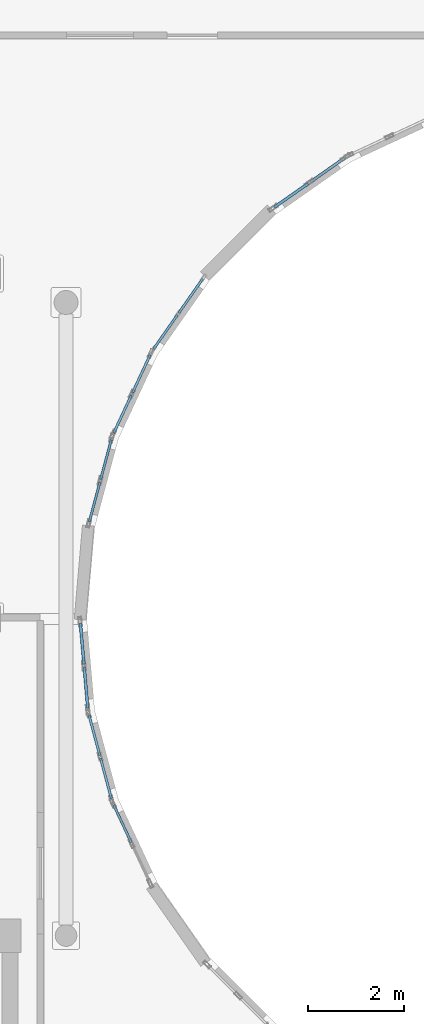
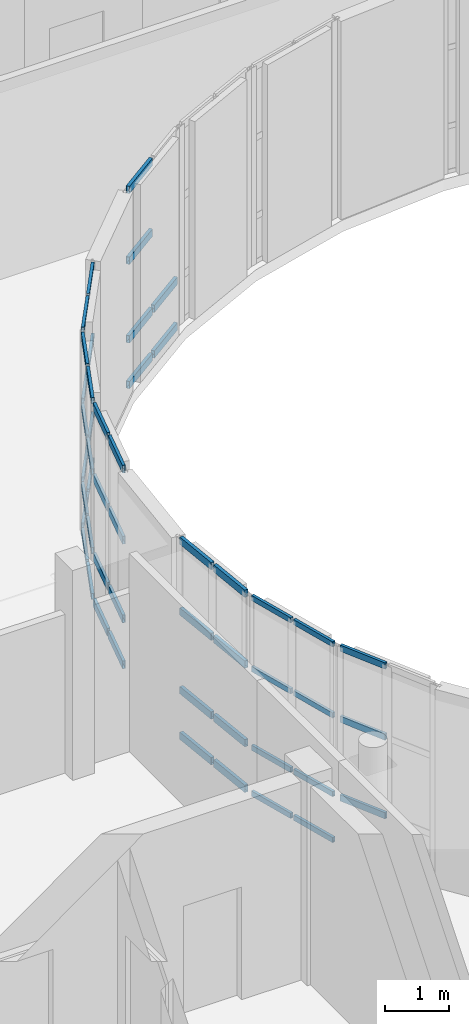
# One storey, part 46 of 92: 49 members, 7 elements without a shape of their own.
"""IFC4 building model written with IfcOpenShell, lengths in metres."""

from ifc_helpers import new_model, si_unit, direction, frame, origin, origin_2d, place, context, subcontext, project, spatial, hollow_rectangle, extrude, material, layer, layer_set, material_profile, profile_set, type_object, element, aggregate, save


model = new_model("IFC4")

# Units and contexts
model_context = context("Model", 3, precision=1e-05, world=origin(), true_north=direction((0.0, 1.0)))
body_context = subcontext(model_context, "Body", "Model", "MODEL_VIEW")
ifc_project = project(units=[si_unit("LENGTHUNIT", "METRE"), si_unit("AREAUNIT", "SQUARE_METRE"), si_unit("VOLUMEUNIT", "CUBIC_METRE"), si_unit("PLANEANGLEUNIT", "RADIAN"), si_unit("MASSUNIT", "GRAM", prefix="KILO")], contexts=[model_context])

# Site, building, storey
site_placement = place(None, origin())
site = spatial("IfcSite", under=ifc_project, at=site_placement, CompositionType="ELEMENT")
building_placement = place(site_placement, origin())
building = spatial("IfcBuilding", under=site, at=building_placement, Name="Kelanivale Promenade Academy", CompositionType="ELEMENT")
storey_placement = place(building_placement, frame((0.0, 0.0, 8.199951171875)))
storey = spatial("IfcBuildingStorey", under=building, at=storey_placement, Name="L02", CompositionType="ELEMENT", Elevation=8.199951171875)

# Curtain wall, members
ifc_material_1 = material(Name="Bronze anodised aluminium and solar-control low-E glass", Category="aluminium")
ifc_layer_1 = layer(ifc_material_1, 0.179931640625)
ifc_layer_set_1 = layer_set([ifc_layer_1], Name="Bronze anodised aluminium and solar-control low-E glass")
curtain_wall_type_1 = type_object("IfcCurtainWallType", Name="CW-17 Curtain Wall 1950mm Module", PredefinedType="USERDEFINED", material=ifc_layer_set_1)
curtain_wall_1_placement = place(storey_placement, origin())
curtain_wall_1 = element("IfcCurtainWall", 1, at=curtain_wall_1_placement, inside=storey, type_object=curtain_wall_type_1, Name="L02 courtyard curtain wall CW-17", ObjectType="COURTYARD SCREEN GLAZING", PredefinedType="USERDEFINED")
ifc_material_2 = material(Name="Bronze anodised aluminium EN AW-6063 T6", Category="aluminium")
ifc_material_profile_1 = material_profile(ifc_material_2, hollow_rectangle(XDim=0.050048828125, YDim=0.10009765625, WallThickness=0.0029296875, at=origin_2d()), Name="ALU 50x100x3.0")
ifc_profile_set_1 = profile_set([ifc_material_profile_1], Name="Bronze anodised aluminium EN AW-6063 T6")
member_type_1 = type_object("IfcMemberType", Name="CWT-01 ALU 50x100x3.0", PredefinedType="USERDEFINED", material=ifc_profile_set_1)
member_1_placement = place(storey_placement, frame((54.815673828125, 63.889892578125, 0.025146484375), z_axis=(-0.573329193297, -0.819325110144, 0.0), x_axis=(0.819325110144, -0.573329193297, 0.0)))
member_1 = element("IfcMember", 2, at=member_1_placement, type_object=member_type_1, Name="CW-17 transom 1.1", ObjectType="TRANSOM", PredefinedType="USERDEFINED", context=body_context, shape_type="SweptSolid", body=[
    extrude(hollow_rectangle(XDim=0.050048828125, YDim=0.10009765625, WallThickness=0.0029296875, at=origin_2d()), origin(), (0.0, 0.0, 1.0), 0.861572265625),
])
member_2_placement = place(storey_placement, frame((54.815673828125, 63.889892578125, 0.900146484375), z_axis=(-0.573329193297, -0.819325110144, 0.0), x_axis=(0.819325110144, -0.573329193297, 0.0)))
member_2 = element("IfcMember", 3, at=member_2_placement, type_object=member_type_1, Name="CW-17 transom 1.2", ObjectType="TRANSOM", PredefinedType="USERDEFINED", context=body_context, shape_type="SweptSolid", body=[
    extrude(hollow_rectangle(XDim=0.050048828125, YDim=0.10009765625, WallThickness=0.0029296875, at=origin_2d()), origin(), (0.0, 0.0, 1.0), 0.861572265625),
])
member_3_placement = place(storey_placement, frame((54.815673828125, 63.889892578125, 2.400146484375), z_axis=(-0.573329193297, -0.819325110144, 0.0), x_axis=(0.819325110144, -0.573329193297, 0.0)))
member_3 = element("IfcMember", 4, at=member_3_placement, type_object=member_type_1, Name="CW-17 transom 1.3", ObjectType="TRANSOM", PredefinedType="USERDEFINED", context=body_context, shape_type="SweptSolid", body=[
    extrude(hollow_rectangle(XDim=0.050048828125, YDim=0.10009765625, WallThickness=0.0029296875, at=origin_2d()), origin(), (0.0, 0.0, 1.0), 0.861572265625),
])
member_4_placement = place(storey_placement, frame((54.815673828125, 63.889892578125, 3.755126953125), z_axis=(-0.573329193297, -0.819325110144, 0.0), x_axis=(0.819325110144, -0.573329193297, 0.0)))
member_4 = element("IfcMember", 5, at=member_4_placement, type_object=member_type_1, Name="CW-17 transom 1.4", ObjectType="TRANSOM", PredefinedType="USERDEFINED", context=body_context, shape_type="SweptSolid", body=[
    extrude(hollow_rectangle(XDim=0.050048828125, YDim=0.10009765625, WallThickness=0.0029296875, at=origin_2d()), origin(), (0.0, 0.0, 1.0), 0.861572265625),
])
member_5_placement = place(storey_placement, frame((54.287353515625, 63.135009765625, 0.025146484375), z_axis=(-0.573329193297, -0.819325110144, 0.0), x_axis=(0.819325110144, -0.573329193297, 0.0)))
member_5 = element("IfcMember", 6, at=member_5_placement, type_object=member_type_1, Name="CW-17 transom 2.1", ObjectType="TRANSOM", PredefinedType="USERDEFINED", context=body_context, shape_type="SweptSolid", body=[
    extrude(hollow_rectangle(XDim=0.050048828125, YDim=0.10009765625, WallThickness=0.0029296875, at=origin_2d()), origin(), (0.0, 0.0, 1.0), 0.861572265625),
])
member_6_placement = place(storey_placement, frame((54.287353515625, 63.135009765625, 0.900146484375), z_axis=(-0.573329193297, -0.819325110144, 0.0), x_axis=(0.819325110144, -0.573329193297, 0.0)))
member_6 = element("IfcMember", 7, at=member_6_placement, type_object=member_type_1, Name="CW-17 transom 2.2", ObjectType="TRANSOM", PredefinedType="USERDEFINED", context=body_context, shape_type="SweptSolid", body=[
    extrude(hollow_rectangle(XDim=0.050048828125, YDim=0.10009765625, WallThickness=0.0029296875, at=origin_2d()), origin(), (0.0, 0.0, 1.0), 0.861572265625),
])
member_7_placement = place(storey_placement, frame((54.287353515625, 63.135009765625, 2.400146484375), z_axis=(-0.573329193297, -0.819325110144, 0.0), x_axis=(0.819325110144, -0.573329193297, 0.0)))
member_7 = element("IfcMember", 8, at=member_7_placement, type_object=member_type_1, Name="CW-17 transom 2.3", ObjectType="TRANSOM", PredefinedType="USERDEFINED", context=body_context, shape_type="SweptSolid", body=[
    extrude(hollow_rectangle(XDim=0.050048828125, YDim=0.10009765625, WallThickness=0.0029296875, at=origin_2d()), origin(), (0.0, 0.0, 1.0), 0.861572265625),
])
member_8_placement = place(storey_placement, frame((54.287353515625, 63.135009765625, 3.755126953125), z_axis=(-0.573329193297, -0.819325110144, 0.0), x_axis=(0.819325110144, -0.573329193297, 0.0)))
member_8 = element("IfcMember", 9, at=member_8_placement, type_object=member_type_1, Name="CW-17 transom 2.4", ObjectType="TRANSOM", PredefinedType="USERDEFINED", context=body_context, shape_type="SweptSolid", body=[
    extrude(hollow_rectangle(XDim=0.050048828125, YDim=0.10009765625, WallThickness=0.0029296875, at=origin_2d()), origin(), (0.0, 0.0, 1.0), 0.861572265625),
])
aggregate(curtain_wall_1, [member_1, member_2, member_3, member_4, member_5, member_6, member_7, member_8])

ifc_layer_2 = layer(ifc_material_1, 0.159912109375)
ifc_layer_set_2 = layer_set([ifc_layer_2], Name="Bronze anodised aluminium and solar-control low-E glass")
curtain_wall_type_2 = type_object("IfcCurtainWallType", Name="CW-21 Curtain Wall 1650mm Module", PredefinedType="USERDEFINED", material=ifc_layer_set_2)
curtain_wall_2_placement = place(storey_placement, origin())
curtain_wall_2 = element("IfcCurtainWall", 10, at=curtain_wall_2_placement, inside=storey, type_object=curtain_wall_type_2, Name="L02 courtyard curtain wall CW-21", ObjectType="COURTYARD SCREEN GLAZING", PredefinedType="USERDEFINED")
member_9_placement = place(storey_placement, frame((52.447509765625, 54.796142578125, 0.025146484375), z_axis=(0.258572180527, -0.965991939644, 0.0), x_axis=(0.965991939644, 0.258572180527, 0.0)))
member_9 = element("IfcMember", 11, at=member_9_placement, type_object=member_type_1, Name="CW-21 transom 1.1", ObjectType="TRANSOM", PredefinedType="USERDEFINED", context=body_context, shape_type="SweptSolid", body=[
    extrude(hollow_rectangle(XDim=0.050048828125, YDim=0.10009765625, WallThickness=0.0029296875, at=origin_2d()), origin(), (0.0, 0.0, 1.0), 0.86865234375),
])
member_10_placement = place(storey_placement, frame((52.447509765625, 54.796142578125, 0.900146484375), z_axis=(0.258572180527, -0.965991939644, 0.0), x_axis=(0.965991939644, 0.258572180527, 0.0)))
member_10 = element("IfcMember", 12, at=member_10_placement, type_object=member_type_1, Name="CW-21 transom 1.2", ObjectType="TRANSOM", PredefinedType="USERDEFINED", context=body_context, shape_type="SweptSolid", body=[
    extrude(hollow_rectangle(XDim=0.050048828125, YDim=0.10009765625, WallThickness=0.0029296875, at=origin_2d()), origin(), (0.0, 0.0, 1.0), 0.86865234375),
])
member_11_placement = place(storey_placement, frame((52.447509765625, 54.796142578125, 2.400146484375), z_axis=(0.258572180527, -0.965991939644, 0.0), x_axis=(0.965991939644, 0.258572180527, 0.0)))
member_11 = element("IfcMember", 13, at=member_11_placement, type_object=member_type_1, Name="CW-21 transom 1.3", ObjectType="TRANSOM", PredefinedType="USERDEFINED", context=body_context, shape_type="SweptSolid", body=[
    extrude(hollow_rectangle(XDim=0.050048828125, YDim=0.10009765625, WallThickness=0.0029296875, at=origin_2d()), origin(), (0.0, 0.0, 1.0), 0.86865234375),
])
member_12_placement = place(storey_placement, frame((52.447509765625, 54.796142578125, 3.755126953125), z_axis=(0.258572180527, -0.965991939644, 0.0), x_axis=(0.965991939644, 0.258572180527, 0.0)))
member_12 = element("IfcMember", 14, at=member_12_placement, type_object=member_type_1, Name="CW-21 transom 1.4", ObjectType="TRANSOM", PredefinedType="USERDEFINED", context=body_context, shape_type="SweptSolid", body=[
    extrude(hollow_rectangle(XDim=0.050048828125, YDim=0.10009765625, WallThickness=0.0029296875, at=origin_2d()), origin(), (0.0, 0.0, 1.0), 0.86865234375),
])
member_13_placement = place(storey_placement, frame((52.687744140625, 53.89892578125, 0.025146484375), z_axis=(0.258904698654, -0.965902871419, 0.0), x_axis=(0.965902871419, 0.258904698654, 0.0)))
member_13 = element("IfcMember", 15, at=member_13_placement, type_object=member_type_1, Name="CW-21 transom 2.1", ObjectType="TRANSOM", PredefinedType="USERDEFINED", context=body_context, shape_type="SweptSolid", body=[
    extrude(hollow_rectangle(XDim=0.050048828125, YDim=0.10009765625, WallThickness=0.0029296875, at=origin_2d()), origin(), (0.0, 0.0, 1.0), 0.868408203125),
])
member_14_placement = place(storey_placement, frame((52.687744140625, 53.89892578125, 0.900146484375), z_axis=(0.258904698654, -0.965902871419, 0.0), x_axis=(0.965902871419, 0.258904698654, 0.0)))
member_14 = element("IfcMember", 16, at=member_14_placement, type_object=member_type_1, Name="CW-21 transom 2.2", ObjectType="TRANSOM", PredefinedType="USERDEFINED", context=body_context, shape_type="SweptSolid", body=[
    extrude(hollow_rectangle(XDim=0.050048828125, YDim=0.10009765625, WallThickness=0.0029296875, at=origin_2d()), origin(), (0.0, 0.0, 1.0), 0.868408203125),
])
member_15_placement = place(storey_placement, frame((52.687744140625, 53.89892578125, 2.400146484375), z_axis=(0.258904698654, -0.965902871419, 0.0), x_axis=(0.965902871419, 0.258904698654, 0.0)))
member_15 = element("IfcMember", 17, at=member_15_placement, type_object=member_type_1, Name="CW-21 transom 2.3", ObjectType="TRANSOM", PredefinedType="USERDEFINED", context=body_context, shape_type="SweptSolid", body=[
    extrude(hollow_rectangle(XDim=0.050048828125, YDim=0.10009765625, WallThickness=0.0029296875, at=origin_2d()), origin(), (0.0, 0.0, 1.0), 0.868408203125),
])
member_16_placement = place(storey_placement, frame((52.687744140625, 53.89892578125, 3.755126953125), z_axis=(0.258904698654, -0.965902871419, 0.0), x_axis=(0.965902871419, 0.258904698654, 0.0)))
member_16 = element("IfcMember", 18, at=member_16_placement, type_object=member_type_1, Name="CW-21 transom 2.4", ObjectType="TRANSOM", PredefinedType="USERDEFINED", context=body_context, shape_type="SweptSolid", body=[
    extrude(hollow_rectangle(XDim=0.050048828125, YDim=0.10009765625, WallThickness=0.0029296875, at=origin_2d()), origin(), (0.0, 0.0, 1.0), 0.868408203125),
])
aggregate(curtain_wall_2, [member_9, member_10, member_11, member_12, member_13, member_14, member_15, member_16])

ifc_layer_3 = layer(ifc_material_1, 0.159912109375)
ifc_layer_set_3 = layer_set([ifc_layer_3], Name="Bronze anodised aluminium and solar-control low-E glass")
curtain_wall_type_3 = type_object("IfcCurtainWallType", Name="CW-18 Curtain Wall 1200mm Module", PredefinedType="USERDEFINED", material=ifc_layer_set_3)
curtain_wall_3_placement = place(storey_placement, origin())
curtain_wall_3 = element("IfcCurtainWall", 19, at=curtain_wall_3_placement, inside=storey, type_object=curtain_wall_type_3, Name="L02 courtyard curtain wall CW-18", ObjectType="COURTYARD SCREEN GLAZING", PredefinedType="USERDEFINED")
ifc_material_profile_2 = material_profile(ifc_material_2, hollow_rectangle(XDim=0.050048828125, YDim=0.1201171875, WallThickness=0.0029296875, at=origin_2d()), Name="ALU 50x120x3.0")
ifc_profile_set_2 = profile_set([ifc_material_profile_2], Name="Bronze anodised aluminium EN AW-6063 T6")
member_type_2 = type_object("IfcMemberType", Name="CWT-02 ALU 50x120x3.0", PredefinedType="USERDEFINED", material=ifc_profile_set_2)
member_17_placement = place(storey_placement, frame((53.7216796875, 62.3046875, 0.025146484375), z_axis=(-0.422777812251, -0.906233370313, 0.0), x_axis=(0.906233370313, -0.422777812251, 0.0)))
member_17 = element("IfcMember", 20, at=member_17_placement, type_object=member_type_2, Name="CW-18 transom 1.1", ObjectType="TRANSOM", PredefinedType="USERDEFINED", context=body_context, shape_type="SweptSolid", body=[
    extrude(hollow_rectangle(XDim=0.050048828125, YDim=0.1201171875, WallThickness=0.0029296875, at=origin_2d()), origin(), (0.0, 0.0, 1.0), 0.869140625),
])
member_18_placement = place(storey_placement, frame((53.7216796875, 62.3046875, 0.900146484375), z_axis=(-0.422777812251, -0.906233370313, 0.0), x_axis=(0.906233370313, -0.422777812251, 0.0)))
member_18 = element("IfcMember", 21, at=member_18_placement, type_object=member_type_2, Name="CW-18 transom 1.2", ObjectType="TRANSOM", PredefinedType="USERDEFINED", context=body_context, shape_type="SweptSolid", body=[
    extrude(hollow_rectangle(XDim=0.050048828125, YDim=0.1201171875, WallThickness=0.0029296875, at=origin_2d()), origin(), (0.0, 0.0, 1.0), 0.869140625),
])
member_19_placement = place(storey_placement, frame((53.7216796875, 62.3046875, 2.400146484375), z_axis=(-0.422777812251, -0.906233370313, 0.0), x_axis=(0.906233370313, -0.422777812251, 0.0)))
member_19 = element("IfcMember", 22, at=member_19_placement, type_object=member_type_2, Name="CW-18 transom 1.3", ObjectType="TRANSOM", PredefinedType="USERDEFINED", context=body_context, shape_type="SweptSolid", body=[
    extrude(hollow_rectangle(XDim=0.050048828125, YDim=0.1201171875, WallThickness=0.0029296875, at=origin_2d()), origin(), (0.0, 0.0, 1.0), 0.869140625),
])
member_20_placement = place(storey_placement, frame((53.7216796875, 62.3046875, 3.755126953125), z_axis=(-0.422777812251, -0.906233370313, 0.0), x_axis=(0.906233370313, -0.422777812251, 0.0)))
member_20 = element("IfcMember", 23, at=member_20_placement, type_object=member_type_2, Name="CW-18 transom 1.4", ObjectType="TRANSOM", PredefinedType="USERDEFINED", context=body_context, shape_type="SweptSolid", body=[
    extrude(hollow_rectangle(XDim=0.050048828125, YDim=0.1201171875, WallThickness=0.0029296875, at=origin_2d()), origin(), (0.0, 0.0, 1.0), 0.869140625),
])
member_21_placement = place(storey_placement, frame((53.328857421875, 61.462890625, 0.025146484375), z_axis=(-0.422777812251, -0.906233370313, 0.0), x_axis=(0.906233370313, -0.422777812251, 0.0)))
member_21 = element("IfcMember", 24, at=member_21_placement, type_object=member_type_2, Name="CW-18 transom 2.1", ObjectType="TRANSOM", PredefinedType="USERDEFINED", context=body_context, shape_type="SweptSolid", body=[
    extrude(hollow_rectangle(XDim=0.050048828125, YDim=0.1201171875, WallThickness=0.0029296875, at=origin_2d()), origin(), (0.0, 0.0, 1.0), 0.869140625),
])
member_22_placement = place(storey_placement, frame((53.328857421875, 61.462890625, 0.900146484375), z_axis=(-0.422777812251, -0.906233370313, 0.0), x_axis=(0.906233370313, -0.422777812251, 0.0)))
member_22 = element("IfcMember", 25, at=member_22_placement, type_object=member_type_2, Name="CW-18 transom 2.2", ObjectType="TRANSOM", PredefinedType="USERDEFINED", context=body_context, shape_type="SweptSolid", body=[
    extrude(hollow_rectangle(XDim=0.050048828125, YDim=0.1201171875, WallThickness=0.0029296875, at=origin_2d()), origin(), (0.0, 0.0, 1.0), 0.869140625),
])
member_23_placement = place(storey_placement, frame((53.328857421875, 61.462890625, 2.400146484375), z_axis=(-0.422777812251, -0.906233370313, 0.0), x_axis=(0.906233370313, -0.422777812251, 0.0)))
member_23 = element("IfcMember", 26, at=member_23_placement, type_object=member_type_2, Name="CW-18 transom 2.3", ObjectType="TRANSOM", PredefinedType="USERDEFINED", context=body_context, shape_type="SweptSolid", body=[
    extrude(hollow_rectangle(XDim=0.050048828125, YDim=0.1201171875, WallThickness=0.0029296875, at=origin_2d()), origin(), (0.0, 0.0, 1.0), 0.869140625),
])
member_24_placement = place(storey_placement, frame((53.328857421875, 61.462890625, 3.755126953125), z_axis=(-0.422777812251, -0.906233370313, 0.0), x_axis=(0.906233370313, -0.422777812251, 0.0)))
member_24 = element("IfcMember", 27, at=member_24_placement, type_object=member_type_2, Name="CW-18 transom 2.4", ObjectType="TRANSOM", PredefinedType="USERDEFINED", context=body_context, shape_type="SweptSolid", body=[
    extrude(hollow_rectangle(XDim=0.050048828125, YDim=0.1201171875, WallThickness=0.0029296875, at=origin_2d()), origin(), (0.0, 0.0, 1.0), 0.869140625),
])
aggregate(curtain_wall_3, [member_17, member_18, member_19, member_20, member_21, member_22, member_23, member_24])

ifc_layer_4 = layer(ifc_material_1, 0.169921875)
ifc_layer_set_4 = layer_set([ifc_layer_4], Name="Bronze anodised aluminium and solar-control low-E glass")
curtain_wall_type_4 = type_object("IfcCurtainWallType", Name="CW-22 Curtain Wall 1800mm Module", PredefinedType="USERDEFINED", material=ifc_layer_set_4)
curtain_wall_4_placement = place(storey_placement, origin())
curtain_wall_4 = element("IfcCurtainWall", 28, at=curtain_wall_4_placement, inside=storey, type_object=curtain_wall_type_4, Name="L02 courtyard curtain wall CW-22", ObjectType="COURTYARD SCREEN GLAZING", PredefinedType="USERDEFINED")
member_25_placement = place(storey_placement, frame((52.96142578125, 52.924560546875, 0.900146484375), z_axis=(0.423242374701, -0.906016496681, 0.0), x_axis=(0.906016496681, 0.423242374701, 0.0)))
member_25 = element("IfcMember", 29, at=member_25_placement, type_object=member_type_2, Name="CW-22 transom 1.2", ObjectType="TRANSOM", PredefinedType="USERDEFINED", context=body_context, shape_type="SweptSolid", body=[
    extrude(hollow_rectangle(XDim=0.050048828125, YDim=0.1201171875, WallThickness=0.0029296875, at=origin_2d()), origin(), (0.0, 0.0, 1.0), 0.861328125),
])
member_26_placement = place(storey_placement, frame((52.96142578125, 52.924560546875, 2.400146484375), z_axis=(0.423242374701, -0.906016496681, 0.0), x_axis=(0.906016496681, 0.423242374701, 0.0)))
member_26 = element("IfcMember", 30, at=member_26_placement, type_object=member_type_2, Name="CW-22 transom 1.3", ObjectType="TRANSOM", PredefinedType="USERDEFINED", context=body_context, shape_type="SweptSolid", body=[
    extrude(hollow_rectangle(XDim=0.050048828125, YDim=0.1201171875, WallThickness=0.0029296875, at=origin_2d()), origin(), (0.0, 0.0, 1.0), 0.861328125),
])
member_27_placement = place(storey_placement, frame((52.96142578125, 52.924560546875, 3.755126953125), z_axis=(0.423242374701, -0.906016496681, 0.0), x_axis=(0.906016496681, 0.423242374701, 0.0)))
member_27 = element("IfcMember", 31, at=member_27_placement, type_object=member_type_2, Name="CW-22 transom 1.4", ObjectType="TRANSOM", PredefinedType="USERDEFINED", context=body_context, shape_type="SweptSolid", body=[
    extrude(hollow_rectangle(XDim=0.050048828125, YDim=0.1201171875, WallThickness=0.0029296875, at=origin_2d()), origin(), (0.0, 0.0, 1.0), 0.861328125),
])
aggregate(curtain_wall_4, [member_25, member_26, member_27])

ifc_layer_5 = layer(ifc_material_1, 0.169921875)
ifc_layer_set_5 = layer_set([ifc_layer_5], Name="Bronze anodised aluminium and solar-control low-E glass")
curtain_wall_type_5 = type_object("IfcCurtainWallType", Name="CW-19 Curtain Wall 1350mm Module", PredefinedType="USERDEFINED", material=ifc_layer_set_5)
curtain_wall_5_placement = place(storey_placement, origin())
curtain_wall_5 = element("IfcCurtainWall", 32, at=curtain_wall_5_placement, inside=storey, type_object=curtain_wall_type_5, Name="L02 courtyard curtain wall CW-19", ObjectType="COURTYARD SCREEN GLAZING", PredefinedType="USERDEFINED")
ifc_material_profile_3 = material_profile(ifc_material_2, hollow_rectangle(XDim=0.050048828125, YDim=0.14990234375, WallThickness=0.00341796875, at=origin_2d()), Name="ALU 50x150x3.5")
ifc_profile_set_3 = profile_set([ifc_material_profile_3], Name="Bronze anodised aluminium EN AW-6063 T6")
member_type_3 = type_object("IfcMemberType", Name="CWT-03 ALU 50x150x3.5", PredefinedType="USERDEFINED", material=ifc_profile_set_3)
member_28_placement = place(storey_placement, frame((52.9111328125, 60.53515625, 0.025146484375), z_axis=(-0.258516900111, -0.966006735151, 0.0), x_axis=(0.966006735151, -0.258516900111, 0.0)))
member_28 = element("IfcMember", 33, at=member_28_placement, type_object=member_type_3, Name="CW-19 transom 1.1", ObjectType="TRANSOM", PredefinedType="USERDEFINED", context=body_context, shape_type="SweptSolid", body=[
    extrude(hollow_rectangle(XDim=0.050048828125, YDim=0.14990234375, WallThickness=0.00341796875, at=origin_2d()), origin(), (0.0, 0.0, 1.0), 0.853759765625),
])
member_29_placement = place(storey_placement, frame((52.9111328125, 60.53515625, 0.900146484375), z_axis=(-0.258516900111, -0.966006735151, 0.0), x_axis=(0.966006735151, -0.258516900111, 0.0)))
member_29 = element("IfcMember", 34, at=member_29_placement, type_object=member_type_3, Name="CW-19 transom 1.2", ObjectType="TRANSOM", PredefinedType="USERDEFINED", context=body_context, shape_type="SweptSolid", body=[
    extrude(hollow_rectangle(XDim=0.050048828125, YDim=0.14990234375, WallThickness=0.00341796875, at=origin_2d()), origin(), (0.0, 0.0, 1.0), 0.853759765625),
])
member_30_placement = place(storey_placement, frame((52.9111328125, 60.53515625, 2.400146484375), z_axis=(-0.258516900111, -0.966006735151, 0.0), x_axis=(0.966006735151, -0.258516900111, 0.0)))
member_30 = element("IfcMember", 35, at=member_30_placement, type_object=member_type_3, Name="CW-19 transom 1.3", ObjectType="TRANSOM", PredefinedType="USERDEFINED", context=body_context, shape_type="SweptSolid", body=[
    extrude(hollow_rectangle(XDim=0.050048828125, YDim=0.14990234375, WallThickness=0.00341796875, at=origin_2d()), origin(), (0.0, 0.0, 1.0), 0.853759765625),
])
member_31_placement = place(storey_placement, frame((52.9111328125, 60.53515625, 3.755126953125), z_axis=(-0.258516900111, -0.966006735151, 0.0), x_axis=(0.966006735151, -0.258516900111, 0.0)))
member_31 = element("IfcMember", 36, at=member_31_placement, type_object=member_type_3, Name="CW-19 transom 1.4", ObjectType="TRANSOM", PredefinedType="USERDEFINED", context=body_context, shape_type="SweptSolid", body=[
    extrude(hollow_rectangle(XDim=0.050048828125, YDim=0.14990234375, WallThickness=0.00341796875, at=origin_2d()), origin(), (0.0, 0.0, 1.0), 0.853759765625),
])
member_32_placement = place(storey_placement, frame((52.673583984375, 59.647705078125, 0.025146484375), z_axis=(-0.258445504102, -0.966025838893, 0.0), x_axis=(0.966025838893, -0.258445504102, 0.0)))
member_32 = element("IfcMember", 37, at=member_32_placement, type_object=member_type_3, Name="CW-19 transom 2.1", ObjectType="TRANSOM", PredefinedType="USERDEFINED", context=body_context, shape_type="SweptSolid", body=[
    extrude(hollow_rectangle(XDim=0.050048828125, YDim=0.14990234375, WallThickness=0.00341796875, at=origin_2d()), origin(), (0.0, 0.0, 1.0), 0.85400390625),
])
member_33_placement = place(storey_placement, frame((52.673583984375, 59.647705078125, 0.900146484375), z_axis=(-0.258445504102, -0.966025838893, 0.0), x_axis=(0.966025838893, -0.258445504102, 0.0)))
member_33 = element("IfcMember", 38, at=member_33_placement, type_object=member_type_3, Name="CW-19 transom 2.2", ObjectType="TRANSOM", PredefinedType="USERDEFINED", context=body_context, shape_type="SweptSolid", body=[
    extrude(hollow_rectangle(XDim=0.050048828125, YDim=0.14990234375, WallThickness=0.00341796875, at=origin_2d()), origin(), (0.0, 0.0, 1.0), 0.85400390625),
])
member_34_placement = place(storey_placement, frame((52.673583984375, 59.647705078125, 2.400146484375), z_axis=(-0.258445504102, -0.966025838893, 0.0), x_axis=(0.966025838893, -0.258445504102, 0.0)))
member_34 = element("IfcMember", 39, at=member_34_placement, type_object=member_type_3, Name="CW-19 transom 2.3", ObjectType="TRANSOM", PredefinedType="USERDEFINED", context=body_context, shape_type="SweptSolid", body=[
    extrude(hollow_rectangle(XDim=0.050048828125, YDim=0.14990234375, WallThickness=0.00341796875, at=origin_2d()), origin(), (0.0, 0.0, 1.0), 0.85400390625),
])
member_35_placement = place(storey_placement, frame((52.673583984375, 59.647705078125, 3.755126953125), z_axis=(-0.258445504102, -0.966025838893, 0.0), x_axis=(0.966025838893, -0.258445504102, 0.0)))
member_35 = element("IfcMember", 40, at=member_35_placement, type_object=member_type_3, Name="CW-19 transom 2.4", ObjectType="TRANSOM", PredefinedType="USERDEFINED", context=body_context, shape_type="SweptSolid", body=[
    extrude(hollow_rectangle(XDim=0.050048828125, YDim=0.14990234375, WallThickness=0.00341796875, at=origin_2d()), origin(), (0.0, 0.0, 1.0), 0.85400390625),
])
aggregate(curtain_wall_5, [member_28, member_29, member_30, member_31, member_32, member_33, member_34, member_35])

ifc_layer_6 = layer(ifc_material_1, 0.169921875)
ifc_layer_set_6 = layer_set([ifc_layer_6], Name="Bronze anodised aluminium and solar-control low-E glass")
curtain_wall_type_6 = type_object("IfcCurtainWallType", Name="CW-16 Curtain Wall 1800mm Module", PredefinedType="USERDEFINED", material=ifc_layer_set_6)
curtain_wall_6_placement = place(storey_placement, origin())
curtain_wall_6 = element("IfcCurtainWall", 41, at=curtain_wall_6_placement, inside=storey, type_object=curtain_wall_type_6, Name="L02 courtyard curtain wall CW-16", ObjectType="COURTYARD SCREEN GLAZING", PredefinedType="USERDEFINED")
ifc_material_profile_4 = material_profile(ifc_material_2, hollow_rectangle(XDim=0.06005859375, YDim=0.139892578125, WallThickness=0.00341796875, at=origin_2d()), Name="ALU 60x140x3.5")
ifc_profile_set_4 = profile_set([ifc_material_profile_4], Name="Bronze anodised aluminium EN AW-6063 T6")
member_type_4 = type_object("IfcMemberType", Name="CWT-04 ALU 60x140x3.5", PredefinedType="USERDEFINED", material=ifc_profile_set_4)
member_36_placement = place(storey_placement, frame((57.766845703125, 66.40380859375, 0.030029296875), z_axis=(-0.819258778425, -0.573423974013, 0.0), x_axis=(0.573423974013, -0.819258778425, 0.0)))
member_36 = element("IfcMember", 42, at=member_36_placement, type_object=member_type_4, Name="CW-16 transom 1.1", ObjectType="TRANSOM", PredefinedType="USERDEFINED", context=body_context, shape_type="SweptSolid", body=[
    extrude(hollow_rectangle(XDim=0.06005859375, YDim=0.139892578125, WallThickness=0.00341796875, at=origin_2d()), origin(), (0.0, 0.0, 1.0), 0.85400390625),
])
member_37_placement = place(storey_placement, frame((57.766845703125, 66.40380859375, 0.900146484375), z_axis=(-0.819258778425, -0.573423974013, 0.0), x_axis=(0.573423974013, -0.819258778425, 0.0)))
member_37 = element("IfcMember", 43, at=member_37_placement, type_object=member_type_4, Name="CW-16 transom 1.2", ObjectType="TRANSOM", PredefinedType="USERDEFINED", context=body_context, shape_type="SweptSolid", body=[
    extrude(hollow_rectangle(XDim=0.06005859375, YDim=0.139892578125, WallThickness=0.00341796875, at=origin_2d()), origin(), (0.0, 0.0, 1.0), 0.85400390625),
])
member_38_placement = place(storey_placement, frame((57.013916015625, 65.876953125, 0.030029296875), z_axis=(-0.819258778425, -0.573423974013, 0.0), x_axis=(0.573423974013, -0.819258778425, 0.0)))
member_38 = element("IfcMember", 44, at=member_38_placement, type_object=member_type_4, Name="CW-16 transom 2.1", ObjectType="TRANSOM", PredefinedType="USERDEFINED", context=body_context, shape_type="SweptSolid", body=[
    extrude(hollow_rectangle(XDim=0.06005859375, YDim=0.139892578125, WallThickness=0.00341796875, at=origin_2d()), origin(), (0.0, 0.0, 1.0), 0.85400390625),
])
member_39_placement = place(storey_placement, frame((57.013916015625, 65.876953125, 0.900146484375), z_axis=(-0.819258778425, -0.573423974013, 0.0), x_axis=(0.573423974013, -0.819258778425, 0.0)))
member_39 = element("IfcMember", 45, at=member_39_placement, type_object=member_type_4, Name="CW-16 transom 2.2", ObjectType="TRANSOM", PredefinedType="USERDEFINED", context=body_context, shape_type="SweptSolid", body=[
    extrude(hollow_rectangle(XDim=0.06005859375, YDim=0.139892578125, WallThickness=0.00341796875, at=origin_2d()), origin(), (0.0, 0.0, 1.0), 0.85400390625),
])
member_40_placement = place(storey_placement, frame((57.013916015625, 65.876953125, 2.400146484375), z_axis=(-0.819258778425, -0.573423974013, 0.0), x_axis=(0.573423974013, -0.819258778425, 0.0)))
member_40 = element("IfcMember", 46, at=member_40_placement, type_object=member_type_4, Name="CW-16 transom 2.3", ObjectType="TRANSOM", PredefinedType="USERDEFINED", context=body_context, shape_type="SweptSolid", body=[
    extrude(hollow_rectangle(XDim=0.06005859375, YDim=0.139892578125, WallThickness=0.00341796875, at=origin_2d()), origin(), (0.0, 0.0, 1.0), 0.85400390625),
])
member_41_placement = place(storey_placement, frame((57.013916015625, 65.876953125, 3.75), z_axis=(-0.819258778425, -0.573423974013, 0.0), x_axis=(0.573423974013, -0.819258778425, 0.0)))
member_41 = element("IfcMember", 47, at=member_41_placement, type_object=member_type_4, Name="CW-16 transom 2.4", ObjectType="TRANSOM", PredefinedType="USERDEFINED", context=body_context, shape_type="SweptSolid", body=[
    extrude(hollow_rectangle(XDim=0.06005859375, YDim=0.139892578125, WallThickness=0.00341796875, at=origin_2d()), origin(), (0.0, 0.0, 1.0), 0.85400390625),
])
aggregate(curtain_wall_6, [member_36, member_37, member_38, member_39, member_40, member_41])

ifc_layer_7 = layer(ifc_material_1, 0.179931640625)
ifc_layer_set_7 = layer_set([ifc_layer_7], Name="Bronze anodised aluminium and solar-control low-E glass")
curtain_wall_type_7 = type_object("IfcCurtainWallType", Name="CW-20 Curtain Wall 1500mm Module", PredefinedType="USERDEFINED", material=ifc_layer_set_7)
curtain_wall_7_placement = place(storey_placement, origin())
curtain_wall_7 = element("IfcCurtainWall", 48, at=curtain_wall_7_placement, inside=storey, type_object=curtain_wall_type_7, Name="L02 courtyard curtain wall CW-20", ObjectType="COURTYARD SCREEN GLAZING", PredefinedType="USERDEFINED")
member_42_placement = place(storey_placement, frame((52.267578125, 56.708251953125, 0.030029296875), z_axis=(0.087518189501, -0.996162921668, 0.0), x_axis=(0.996162921668, 0.087518189501, 0.0)))
member_42 = element("IfcMember", 49, at=member_42_placement, type_object=member_type_4, Name="CW-20 transom 1.1", ObjectType="TRANSOM", PredefinedType="USERDEFINED", context=body_context, shape_type="SweptSolid", body=[
    extrude(hollow_rectangle(XDim=0.06005859375, YDim=0.139892578125, WallThickness=0.00341796875, at=origin_2d()), origin(), (0.0, 0.0, 1.0), 0.853515625),
])
member_43_placement = place(storey_placement, frame((52.267578125, 56.708251953125, 0.900146484375), z_axis=(0.087518189501, -0.996162921668, 0.0), x_axis=(0.996162921668, 0.087518189501, 0.0)))
member_43 = element("IfcMember", 50, at=member_43_placement, type_object=member_type_4, Name="CW-20 transom 1.2", ObjectType="TRANSOM", PredefinedType="USERDEFINED", context=body_context, shape_type="SweptSolid", body=[
    extrude(hollow_rectangle(XDim=0.06005859375, YDim=0.139892578125, WallThickness=0.00341796875, at=origin_2d()), origin(), (0.0, 0.0, 1.0), 0.853515625),
])
member_44_placement = place(storey_placement, frame((52.267578125, 56.708251953125, 2.400146484375), z_axis=(0.087518189501, -0.996162921668, 0.0), x_axis=(0.996162921668, 0.087518189501, 0.0)))
member_44 = element("IfcMember", 51, at=member_44_placement, type_object=member_type_4, Name="CW-20 transom 1.3", ObjectType="TRANSOM", PredefinedType="USERDEFINED", context=body_context, shape_type="SweptSolid", body=[
    extrude(hollow_rectangle(XDim=0.06005859375, YDim=0.139892578125, WallThickness=0.00341796875, at=origin_2d()), origin(), (0.0, 0.0, 1.0), 0.853515625),
])
member_45_placement = place(storey_placement, frame((52.267578125, 56.708251953125, 3.75), z_axis=(0.087518189501, -0.996162921668, 0.0), x_axis=(0.996162921668, 0.087518189501, 0.0)))
member_45 = element("IfcMember", 52, at=member_45_placement, type_object=member_type_4, Name="CW-20 transom 1.4", ObjectType="TRANSOM", PredefinedType="USERDEFINED", context=body_context, shape_type="SweptSolid", body=[
    extrude(hollow_rectangle(XDim=0.06005859375, YDim=0.139892578125, WallThickness=0.00341796875, at=origin_2d()), origin(), (0.0, 0.0, 1.0), 0.853515625),
])
member_46_placement = place(storey_placement, frame((52.347900390625, 55.793212890625, 0.030029296875), z_axis=(0.087234362353, -0.996187816641, 0.0), x_axis=(0.996187816641, 0.087234362353, 0.0)))
member_46 = element("IfcMember", 53, at=member_46_placement, type_object=member_type_4, Name="CW-20 transom 2.1", ObjectType="TRANSOM", PredefinedType="USERDEFINED", context=body_context, shape_type="SweptSolid", body=[
    extrude(hollow_rectangle(XDim=0.06005859375, YDim=0.139892578125, WallThickness=0.00341796875, at=origin_2d()), origin(), (0.0, 0.0, 1.0), 0.853515625),
])
member_47_placement = place(storey_placement, frame((52.347900390625, 55.793212890625, 0.900146484375), z_axis=(0.087234362353, -0.996187816641, 0.0), x_axis=(0.996187816641, 0.087234362353, 0.0)))
member_47 = element("IfcMember", 54, at=member_47_placement, type_object=member_type_4, Name="CW-20 transom 2.2", ObjectType="TRANSOM", PredefinedType="USERDEFINED", context=body_context, shape_type="SweptSolid", body=[
    extrude(hollow_rectangle(XDim=0.06005859375, YDim=0.139892578125, WallThickness=0.00341796875, at=origin_2d()), origin(), (0.0, 0.0, 1.0), 0.853515625),
])
member_48_placement = place(storey_placement, frame((52.347900390625, 55.793212890625, 2.400146484375), z_axis=(0.087234362353, -0.996187816641, 0.0), x_axis=(0.996187816641, 0.087234362353, 0.0)))
member_48 = element("IfcMember", 55, at=member_48_placement, type_object=member_type_4, Name="CW-20 transom 2.3", ObjectType="TRANSOM", PredefinedType="USERDEFINED", context=body_context, shape_type="SweptSolid", body=[
    extrude(hollow_rectangle(XDim=0.06005859375, YDim=0.139892578125, WallThickness=0.00341796875, at=origin_2d()), origin(), (0.0, 0.0, 1.0), 0.853515625),
])
member_49_placement = place(storey_placement, frame((52.347900390625, 55.793212890625, 3.75), z_axis=(0.087234362353, -0.996187816641, 0.0), x_axis=(0.996187816641, 0.087234362353, 0.0)))
member_49 = element("IfcMember", 56, at=member_49_placement, type_object=member_type_4, Name="CW-20 transom 2.4", ObjectType="TRANSOM", PredefinedType="USERDEFINED", context=body_context, shape_type="SweptSolid", body=[
    extrude(hollow_rectangle(XDim=0.06005859375, YDim=0.139892578125, WallThickness=0.00341796875, at=origin_2d()), origin(), (0.0, 0.0, 1.0), 0.853515625),
])
aggregate(curtain_wall_7, [member_42, member_43, member_44, member_45, member_46, member_47, member_48, member_49])

save(model, "model.ifc")
